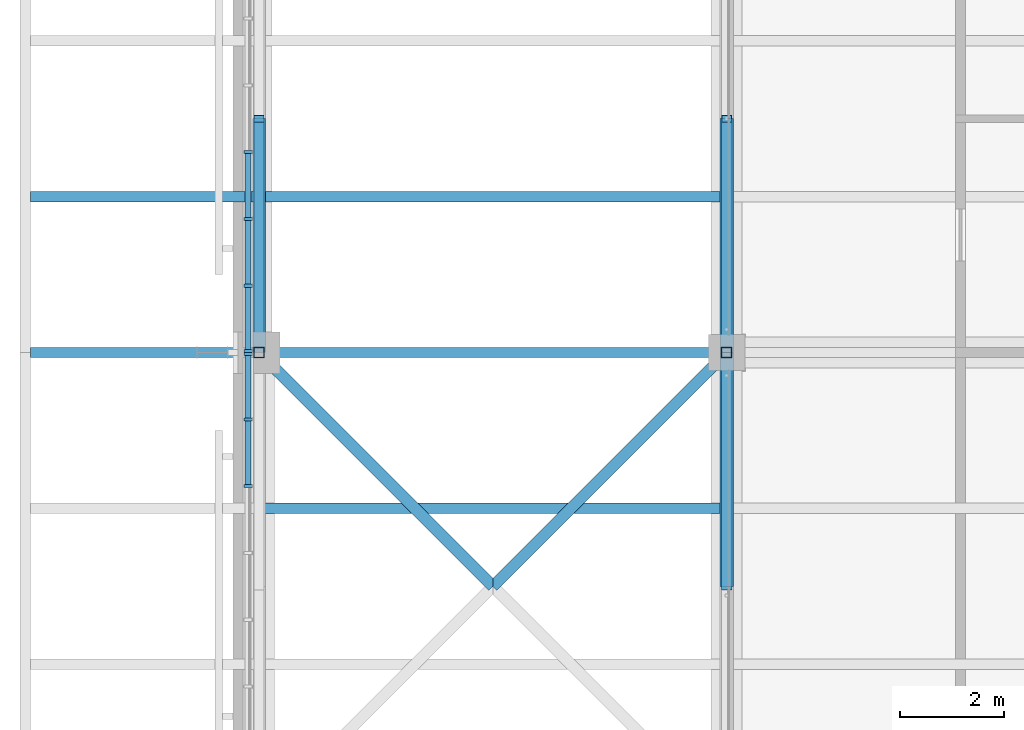
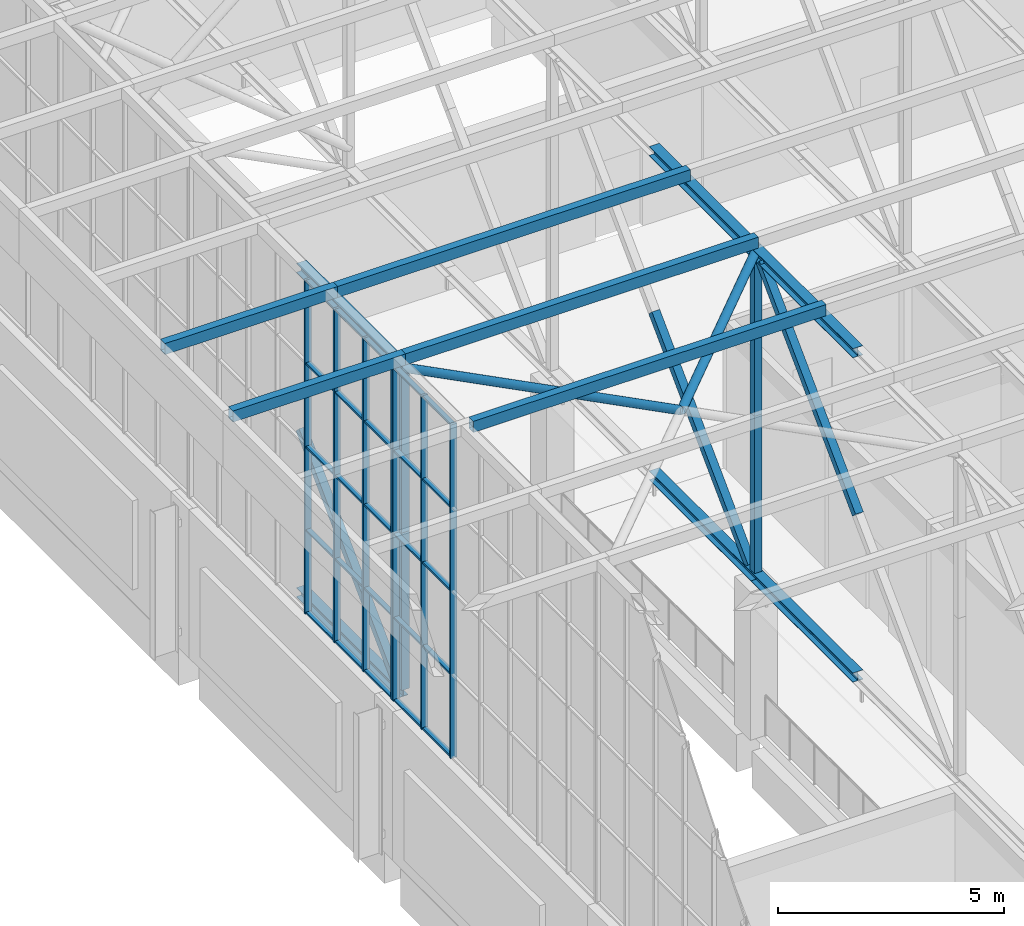
# One storey, part 60 of 646: 52 members, 2 elements without a shape of their own.
"""IFC4 building model written with IfcOpenShell, lengths in metres."""

from ifc_helpers import new_model, si_unit, direction, frame, origin, origin_2d, place, context, subcontext, project, spatial, rectangle, hollow_rectangle, hollow_circle, i_section, extrude, material, material_profile, profile_set, type_object, element, aggregate, save


model = new_model("IFC4")

# Units and contexts
model_context = context("Model", 3, precision=1e-05, world=origin(), true_north=direction((0.0, 1.0)))
body_context = subcontext(model_context, "Body", "Model", "MODEL_VIEW")
ifc_project = project(units=[si_unit("LENGTHUNIT", "METRE"), si_unit("AREAUNIT", "SQUARE_METRE"), si_unit("VOLUMEUNIT", "CUBIC_METRE"), si_unit("PLANEANGLEUNIT", "RADIAN"), si_unit("MASSUNIT", "GRAM", prefix="KILO")], contexts=[model_context])

# Site, building, storey
site_placement = place(None, origin())
site = spatial("IfcSite", under=ifc_project, at=site_placement, CompositionType="ELEMENT")
building_placement = place(site_placement, origin())
building = spatial("IfcBuilding", under=site, at=building_placement, Name="Silverbay Arena", CompositionType="ELEMENT")
storey_placement = place(building_placement, frame((0.0, 0.0, 33.5)))
storey = spatial("IfcBuildingStorey", under=building, at=storey_placement, Name="L05", CompositionType="ELEMENT", Elevation=33.5)

# Curtain wall, members
ifc_material_1 = material(Name="Aluminium framed glazing", Category="aluminium")
curtain_wall_type = type_object("IfcCurtainWallType", Name="Curtain wall clerestory 9000 x 9000", PredefinedType="NOTDEFINED", material=ifc_material_1)
curtain_wall_1_placement = place(storey_placement, origin())
curtain_wall_1 = element("IfcCurtainWall", 1, at=curtain_wall_1_placement, inside=storey, type_object=curtain_wall_type, Name="ROOF GABLE CLERESTORY CURTAIN WALL west bay 12", PredefinedType="NOTDEFINED")
ifc_material_2 = material(Name="Aluminium", Category="aluminium")
ifc_material_profile_1 = material_profile(ifc_material_2, rectangle(XDim=0.159912109375, YDim=0.06005859375, at=origin_2d()), Name="Mullion 60 x 160")
ifc_profile_set_1 = profile_set([ifc_material_profile_1], Name="Aluminium")
member_type_1 = type_object("IfcMemberType", Name="Mullion 60 x 160", PredefinedType="MULLION", material=ifc_profile_set_1)
member_1_placement = place(storey_placement, frame((53.7900390625, 114.428466796875, 4.0), z_axis=(0.0, 0.0, 1.0), x_axis=(-1.0, 0.0, 0.0)))
member_1 = element("IfcMember", 2, at=member_1_placement, type_object=member_type_1, Name="CW60 mullion 6", PredefinedType="MULLION", context=body_context, shape_type="SweptSolid", body=[
    extrude(rectangle(XDim=0.159912109375, YDim=0.06005859375, at=origin_2d()), origin(), (0.0, 0.0, 1.0), 9.0),
])
member_2_placement = place(storey_placement, frame((53.7900390625, 115.71435546875, 4.0), z_axis=(0.0, 0.0, 1.0), x_axis=(-1.0, 0.0, 0.0)))
member_2 = element("IfcMember", 3, at=member_2_placement, type_object=member_type_1, Name="CW60 mullion 7", PredefinedType="MULLION", context=body_context, shape_type="SweptSolid", body=[
    extrude(rectangle(XDim=0.159912109375, YDim=0.06005859375, at=origin_2d()), origin(), (0.0, 0.0, 1.0), 9.0),
])
member_3_placement = place(storey_placement, frame((53.7900390625, 116.969970703125, 4.0), z_axis=(0.0, 0.0, 1.0), x_axis=(-1.0, 0.0, 0.0)))
member_3 = element("IfcMember", 4, at=member_3_placement, type_object=member_type_1, Name="CW60 mullion 8", PredefinedType="MULLION", context=body_context, shape_type="SweptSolid", body=[
    extrude(rectangle(XDim=0.159912109375, YDim=0.06005859375, at=origin_2d()), origin(), (0.0, 0.0, 1.0), 9.0),
])

curtain_wall_2_placement = place(storey_placement, origin())
curtain_wall_2 = element("IfcCurtainWall", 5, at=curtain_wall_2_placement, inside=storey, type_object=curtain_wall_type, Name="ROOF GABLE CLERESTORY CURTAIN WALL west bay 13", PredefinedType="NOTDEFINED")
member_4_placement = place(storey_placement, frame((53.7900390625, 117.030029296875, 4.0), z_axis=(0.0, 0.0, 1.0), x_axis=(-1.0, 0.0, 0.0)))
member_4 = element("IfcMember", 6, at=member_4_placement, type_object=member_type_1, Name="CW60 mullion 1", PredefinedType="MULLION", context=body_context, shape_type="SweptSolid", body=[
    extrude(rectangle(XDim=0.159912109375, YDim=0.06005859375, at=origin_2d()), origin(), (0.0, 0.0, 1.0), 9.0),
])
member_5_placement = place(storey_placement, frame((53.7900390625, 118.28564453125, 4.0), z_axis=(0.0, 0.0, 1.0), x_axis=(-1.0, 0.0, 0.0)))
member_5 = element("IfcMember", 7, at=member_5_placement, type_object=member_type_1, Name="CW60 mullion 2", PredefinedType="MULLION", context=body_context, shape_type="SweptSolid", body=[
    extrude(rectangle(XDim=0.159912109375, YDim=0.06005859375, at=origin_2d()), origin(), (0.0, 0.0, 1.0), 9.0),
])
member_6_placement = place(storey_placement, frame((53.7900390625, 119.571533203125, 4.0), z_axis=(0.0, 0.0, 1.0), x_axis=(-1.0, 0.0, 0.0)))
member_6 = element("IfcMember", 8, at=member_6_placement, type_object=member_type_1, Name="CW60 mullion 3", PredefinedType="MULLION", context=body_context, shape_type="SweptSolid", body=[
    extrude(rectangle(XDim=0.159912109375, YDim=0.06005859375, at=origin_2d()), origin(), (0.0, 0.0, 1.0), 9.0),
])
member_7_placement = place(storey_placement, frame((53.7900390625, 120.857177734375, 4.0), z_axis=(0.0, 0.0, 1.0), x_axis=(-1.0, 0.0, 0.0)))
member_7 = element("IfcMember", 9, at=member_7_placement, type_object=member_type_1, Name="CW60 mullion 4", PredefinedType="MULLION", context=body_context, shape_type="SweptSolid", body=[
    extrude(rectangle(XDim=0.159912109375, YDim=0.06005859375, at=origin_2d()), origin(), (0.0, 0.0, 1.0), 9.0),
])

# Members
ifc_material_3 = material(Name="Steel S355", Category="steel")
ifc_material_profile_2 = material_profile(ifc_material_3, hollow_circle(Radius=0.109619140625, WallThickness=0.00634765625, at=origin_2d()), Name="CHS 219.1x6.3")
ifc_profile_set_2 = profile_set([ifc_material_profile_2], Name="Steel S355")
member_type_2 = type_object("IfcMemberType", Name="Plan bracing CHS 219.1x6.3", PredefinedType="BRACE", material=ifc_profile_set_2)
for number, where, z_axis, x_axis, name in (
    (10, (58.5, 112.5, 12.873046875), (0.707106781187, 0.707106781187, 0.0), (-0.707106781187, 0.707106781187, 0.0), "ROOF BRACING top 7-8 panel 12 Ab"),
    (11, (54.0, 117.0, 12.873046875), (0.707106781187, -0.707106781187, 0.0), (0.707106781187, 0.707106781187, 0.0), "ROOF BRACING top 7-8 panel 12 Ba"),
):
    element("IfcMember", number, at=place(storey_placement, frame(where, z_axis=z_axis, x_axis=x_axis)), inside=storey, type_object=member_type_2, Name=name, PredefinedType="BRACE", context=body_context, shape_type="SweptSolid", body=[
        extrude(hollow_circle(Radius=0.109619140625, WallThickness=0.00634765625, at=origin_2d()), origin(), (0.0, 0.0, 1.0), 6.364013671875),
    ])
ifc_material_4 = material(Name="Steel S355", Category="steel")
ifc_material_profile_3 = material_profile(ifc_material_4, hollow_rectangle(XDim=0.199951171875, YDim=0.300048828125, WallThickness=0.008056640625, at=origin_2d()), Name="RHS 300x200x8")
ifc_profile_set_3 = profile_set([ifc_material_profile_3], Name="Steel S355")
member_type_3 = type_object("IfcMemberType", Name="Purlin RHS 300x200x8", PredefinedType="PURLIN", material=ifc_profile_set_3)
for number, where, z_axis, x_axis, name in (
    (12, (54.0, 114.0, 13.14990234375), (1.0, 0.0, 0.0), (0.0, 1.0, 0.0), "ROOF PURLIN 7-8 line 36"),
    (13, (54.0, 117.0, 13.14990234375), (1.0, 0.0, 0.0), (0.0, 1.0, 0.0), "ROOF PURLIN 7-8 line 37"),
    (14, (54.0, 120.0, 13.14990234375), (1.0, 0.0, 0.0), (0.0, 1.0, 0.0), "ROOF PURLIN 7-8 line 38"),
):
    element("IfcMember", number, at=place(storey_placement, frame(where, z_axis=z_axis, x_axis=x_axis)), inside=storey, type_object=member_type_3, Name=name, PredefinedType="PURLIN", context=body_context, shape_type="SweptSolid", body=[
        extrude(hollow_rectangle(XDim=0.199951171875, YDim=0.300048828125, WallThickness=0.008056640625, at=origin_2d()), origin(), (0.0, 0.0, 1.0), 9.0),
    ])
for number, where, z_axis, x_axis, name in (
    (15, (49.60009765625, 117.0, 13.14990234375), (1.0, 0.0, 0.0), (0.0, 1.0, 0.0), "ROOF PURLIN west eave line 37"),
    (16, (49.60009765625, 120.0, 13.14990234375), (1.0, 0.0, 0.0), (0.0, 1.0, 0.0), "ROOF PURLIN west eave line 38"),
):
    element("IfcMember", number, at=place(storey_placement, frame(where, z_axis=z_axis, x_axis=x_axis)), inside=storey, type_object=member_type_3, Name=name, PredefinedType="PURLIN", context=body_context, shape_type="SweptSolid", body=[
        extrude(hollow_rectangle(XDim=0.199951171875, YDim=0.300048828125, WallThickness=0.008056640625, at=origin_2d()), origin(), (0.0, 0.0, 1.0), 4.39990234375),
    ])
ifc_material_5 = material(Name="Steel S355", Category="steel")
ifc_material_profile_4 = material_profile(ifc_material_5, i_section(OverallWidth=0.254638671875, OverallDepth=0.254150390625, WebThickness=0.008544921875, FlangeThickness=0.01416015625, at=origin_2d()), Name="UC 254x254x73")
ifc_profile_set_4 = profile_set([ifc_material_profile_4], Name="Steel S355")
member_type_4 = type_object("IfcMemberType", Name="Short-span bottom chord UC 254x254x73", PredefinedType="CHORD", material=ifc_profile_set_4)
for number, where, z_axis, x_axis, name in (
    (17, (54.0, 117.0, 4.126953125), (0.0, 1.0, 0.0), (-1.0, 0.0, 0.0), "ROOF TRUSS 7 bottom chord 13a"),
    (18, (63.0, 112.5, 4.126953125), (0.0, 1.0, 0.0), (-1.0, 0.0, 0.0), "ROOF TRUSS 8 bottom chord 12b"),
    (19, (63.0, 117.0, 4.126953125), (0.0, 1.0, 0.0), (-1.0, 0.0, 0.0), "ROOF TRUSS 8 bottom chord 13a"),
):
    element("IfcMember", number, at=place(storey_placement, frame(where, z_axis=z_axis, x_axis=x_axis)), inside=storey, type_object=member_type_4, Name=name, PredefinedType="CHORD", context=body_context, shape_type="SweptSolid", body=[
        extrude(i_section(OverallWidth=0.254638671875, OverallDepth=0.254150390625, WebThickness=0.008544921875, FlangeThickness=0.01416015625, at=origin_2d()), origin(), (0.0, 0.0, 1.0), 4.5),
    ])
ifc_material_6 = material(Name="Steel S355", Category="steel")
ifc_material_profile_5 = material_profile(ifc_material_6, i_section(OverallWidth=0.254638671875, OverallDepth=0.254150390625, WebThickness=0.008544921875, FlangeThickness=0.01416015625, at=origin_2d()), Name="UC 254x254x73")
ifc_profile_set_5 = profile_set([ifc_material_profile_5], Name="Steel S355")
member_type_5 = type_object("IfcMemberType", Name="Short-span top chord UC 254x254x73", PredefinedType="CHORD", material=ifc_profile_set_5)
for number, where, z_axis, x_axis, name in (
    (20, (54.0, 117.0, 12.873046875), (0.0, 1.0, 0.0), (-1.0, 0.0, 0.0), "ROOF TRUSS 7 top chord 13a"),
    (21, (63.0, 112.5, 12.873046875), (0.0, 1.0, 0.0), (-1.0, 0.0, 0.0), "ROOF TRUSS 8 top chord 12b"),
    (22, (63.0, 117.0, 12.873046875), (0.0, 1.0, 0.0), (-1.0, 0.0, 0.0), "ROOF TRUSS 8 top chord 13a"),
):
    element("IfcMember", number, at=place(storey_placement, frame(where, z_axis=z_axis, x_axis=x_axis)), inside=storey, type_object=member_type_5, Name=name, PredefinedType="CHORD", context=body_context, shape_type="SweptSolid", body=[
        extrude(i_section(OverallWidth=0.254638671875, OverallDepth=0.254150390625, WebThickness=0.008544921875, FlangeThickness=0.01416015625, at=origin_2d()), origin(), (0.0, 0.0, 1.0), 4.5),
    ])
ifc_material_7 = material(Name="Steel S355", Category="steel")
ifc_material_profile_6 = material_profile(ifc_material_7, hollow_rectangle(XDim=0.199951171875, YDim=0.199951171875, WallThickness=0.008056640625, at=origin_2d()), Name="SHS 200x200x8")
ifc_profile_set_6 = profile_set([ifc_material_profile_6], Name="Steel S355")
member_type_6 = type_object("IfcMemberType", Name="Short-span truss diagonal SHS 200x200x8", PredefinedType="BRACE", material=ifc_profile_set_6)
for number, where, z_axis, x_axis, name in (
    (23, (54.0, 121.5, 8.5), (0.0, -0.70781724692, -0.706395600894), (1.0, 0.0, 0.0), "ROOF TRUSS 7 diagonal 13b"),
    (24, (63.0, 116.75439453125, 12.745849609375), (0.0, -0.70781724692, -0.706395600894), (1.0, 0.0, 0.0), "ROOF TRUSS 8 diagonal 12a"),
    (25, (63.0, 121.5, 8.5), (0.0, -0.70781724692, -0.706395600894), (1.0, 0.0, 0.0), "ROOF TRUSS 8 diagonal 13b"),
):
    element("IfcMember", number, at=place(storey_placement, frame(where, z_axis=z_axis, x_axis=x_axis)), inside=storey, type_object=member_type_6, Name=name, PredefinedType="BRACE", context=body_context, shape_type="SweptSolid", body=[
        extrude(hollow_rectangle(XDim=0.199951171875, YDim=0.199951171875, WallThickness=0.008056640625, at=origin_2d()), origin(), (0.0, 0.0, 1.0), 6.010498046875),
    ])
ifc_material_8 = material(Name="Steel S355", Category="steel")
ifc_material_profile_7 = material_profile(ifc_material_8, hollow_rectangle(XDim=0.199951171875, YDim=0.199951171875, WallThickness=0.008056640625, at=origin_2d()), Name="SHS 200x200x8")
ifc_profile_set_7 = profile_set([ifc_material_profile_7], Name="Steel S355")
member_type_7 = type_object("IfcMemberType", Name="Short-span truss vertical SHS 200x200x8", PredefinedType="STRUT", material=ifc_profile_set_7)
for number, where, z_axis, x_axis, name in (
    (26, (54.0, 117.0, 4.254150390625), (0.0, 0.0, 1.0), (1.0, 0.0, 0.0), "ROOF TRUSS 7 vertical 13a"),
    (27, (54.0, 117.0, 8.5), (0.0, 0.0, 1.0), (1.0, 0.0, 0.0), "ROOF TRUSS 7 vertical 13b"),
    (28, (63.0, 117.0, 4.254150390625), (0.0, 0.0, 1.0), (1.0, 0.0, 0.0), "ROOF TRUSS 8 vertical 13a"),
    (29, (63.0, 117.0, 8.5), (0.0, 0.0, 1.0), (1.0, 0.0, 0.0), "ROOF TRUSS 8 vertical 13b"),
):
    element("IfcMember", number, at=place(storey_placement, frame(where, z_axis=z_axis, x_axis=x_axis)), inside=storey, type_object=member_type_7, Name=name, PredefinedType="STRUT", context=body_context, shape_type="SweptSolid", body=[
        extrude(hollow_rectangle(XDim=0.199951171875, YDim=0.199951171875, WallThickness=0.008056640625, at=origin_2d()), origin(), (0.0, 0.0, 1.0), 4.245849609375),
    ])

# Member
ifc_material_9 = material(Name="Aluminium", Category="aluminium")
ifc_material_profile_8 = material_profile(ifc_material_9, rectangle(XDim=0.1201171875, YDim=0.050048828125, at=origin_2d()), Name="Transom 50 x 120")
ifc_profile_set_8 = profile_set([ifc_material_profile_8], Name="Aluminium")
member_type_8 = type_object("IfcMemberType", Name="Transom 50 x 120", PredefinedType="USERDEFINED", material=ifc_profile_set_8)
member_8_placement = place(storey_placement, frame((53.7900390625, 114.45849609375, 4.02490234375), z_axis=(0.0, 1.0, 0.0), x_axis=(-1.0, 0.0, 0.0)))
member_8 = element("IfcMember", 30, at=member_8_placement, type_object=member_type_8, Name="CW60 transom 6.1", ObjectType="TRANSOM", PredefinedType="USERDEFINED", context=body_context, shape_type="SweptSolid", body=[
    extrude(rectangle(XDim=0.1201171875, YDim=0.050048828125, at=origin_2d()), origin(), (0.0, 0.0, 1.0), 1.225830078125),
])

member_9_placement = place(storey_placement, frame((53.7900390625, 114.45849609375, 6.25), z_axis=(0.0, 1.0, 0.0), x_axis=(-1.0, 0.0, 0.0)))
member_9 = element("IfcMember", 31, at=member_9_placement, type_object=member_type_8, Name="CW60 transom 6.2", ObjectType="TRANSOM", PredefinedType="USERDEFINED", context=body_context, shape_type="SweptSolid", body=[
    extrude(rectangle(XDim=0.1201171875, YDim=0.050048828125, at=origin_2d()), origin(), (0.0, 0.0, 1.0), 1.225830078125),
])

member_10_placement = place(storey_placement, frame((53.7900390625, 114.45849609375, 8.5), z_axis=(0.0, 1.0, 0.0), x_axis=(-1.0, 0.0, 0.0)))
member_10 = element("IfcMember", 32, at=member_10_placement, type_object=member_type_8, Name="CW60 transom 6.3", ObjectType="TRANSOM", PredefinedType="USERDEFINED", context=body_context, shape_type="SweptSolid", body=[
    extrude(rectangle(XDim=0.1201171875, YDim=0.050048828125, at=origin_2d()), origin(), (0.0, 0.0, 1.0), 1.225830078125),
])

member_11_placement = place(storey_placement, frame((53.7900390625, 114.45849609375, 10.75), z_axis=(0.0, 1.0, 0.0), x_axis=(-1.0, 0.0, 0.0)))
member_11 = element("IfcMember", 33, at=member_11_placement, type_object=member_type_8, Name="CW60 transom 6.4", ObjectType="TRANSOM", PredefinedType="USERDEFINED", context=body_context, shape_type="SweptSolid", body=[
    extrude(rectangle(XDim=0.1201171875, YDim=0.050048828125, at=origin_2d()), origin(), (0.0, 0.0, 1.0), 1.225830078125),
])

member_12_placement = place(storey_placement, frame((53.7900390625, 114.45849609375, 12.97509765625), z_axis=(0.0, 1.0, 0.0), x_axis=(-1.0, 0.0, 0.0)))
member_12 = element("IfcMember", 34, at=member_12_placement, type_object=member_type_8, Name="CW60 transom 6.5", ObjectType="TRANSOM", PredefinedType="USERDEFINED", context=body_context, shape_type="SweptSolid", body=[
    extrude(rectangle(XDim=0.1201171875, YDim=0.050048828125, at=origin_2d()), origin(), (0.0, 0.0, 1.0), 1.225830078125),
])

member_13_placement = place(storey_placement, frame((53.7900390625, 115.744384765625, 4.02490234375), z_axis=(0.0, 1.0, 0.0), x_axis=(-1.0, 0.0, 0.0)))
member_13 = element("IfcMember", 35, at=member_13_placement, type_object=member_type_8, Name="CW60 transom 7.1", ObjectType="TRANSOM", PredefinedType="USERDEFINED", context=body_context, shape_type="SweptSolid", body=[
    extrude(rectangle(XDim=0.1201171875, YDim=0.050048828125, at=origin_2d()), origin(), (0.0, 0.0, 1.0), 1.195556640625),
])

member_14_placement = place(storey_placement, frame((53.7900390625, 115.744384765625, 6.25), z_axis=(0.0, 1.0, 0.0), x_axis=(-1.0, 0.0, 0.0)))
member_14 = element("IfcMember", 36, at=member_14_placement, type_object=member_type_8, Name="CW60 transom 7.2", ObjectType="TRANSOM", PredefinedType="USERDEFINED", context=body_context, shape_type="SweptSolid", body=[
    extrude(rectangle(XDim=0.1201171875, YDim=0.050048828125, at=origin_2d()), origin(), (0.0, 0.0, 1.0), 1.195556640625),
])

member_15_placement = place(storey_placement, frame((53.7900390625, 115.744384765625, 8.5), z_axis=(0.0, 1.0, 0.0), x_axis=(-1.0, 0.0, 0.0)))
member_15 = element("IfcMember", 37, at=member_15_placement, type_object=member_type_8, Name="CW60 transom 7.3", ObjectType="TRANSOM", PredefinedType="USERDEFINED", context=body_context, shape_type="SweptSolid", body=[
    extrude(rectangle(XDim=0.1201171875, YDim=0.050048828125, at=origin_2d()), origin(), (0.0, 0.0, 1.0), 1.195556640625),
])

member_16_placement = place(storey_placement, frame((53.7900390625, 115.744384765625, 10.75), z_axis=(0.0, 1.0, 0.0), x_axis=(-1.0, 0.0, 0.0)))
member_16 = element("IfcMember", 38, at=member_16_placement, type_object=member_type_8, Name="CW60 transom 7.4", ObjectType="TRANSOM", PredefinedType="USERDEFINED", context=body_context, shape_type="SweptSolid", body=[
    extrude(rectangle(XDim=0.1201171875, YDim=0.050048828125, at=origin_2d()), origin(), (0.0, 0.0, 1.0), 1.195556640625),
])

member_17_placement = place(storey_placement, frame((53.7900390625, 115.744384765625, 12.97509765625), z_axis=(0.0, 1.0, 0.0), x_axis=(-1.0, 0.0, 0.0)))
member_17 = element("IfcMember", 39, at=member_17_placement, type_object=member_type_8, Name="CW60 transom 7.5", ObjectType="TRANSOM", PredefinedType="USERDEFINED", context=body_context, shape_type="SweptSolid", body=[
    extrude(rectangle(XDim=0.1201171875, YDim=0.050048828125, at=origin_2d()), origin(), (0.0, 0.0, 1.0), 1.195556640625),
])

aggregate(curtain_wall_1, [member_1, member_2, member_3, member_8, member_9, member_10, member_11, member_12, member_13, member_14, member_15, member_16, member_17])

member_18_placement = place(storey_placement, frame((53.7900390625, 117.06005859375, 4.02490234375), z_axis=(0.0, 1.0, 0.0), x_axis=(-1.0, 0.0, 0.0)))
member_18 = element("IfcMember", 40, at=member_18_placement, type_object=member_type_8, Name="CW60 transom 1.1", ObjectType="TRANSOM", PredefinedType="USERDEFINED", context=body_context, shape_type="SweptSolid", body=[
    extrude(rectangle(XDim=0.1201171875, YDim=0.050048828125, at=origin_2d()), origin(), (0.0, 0.0, 1.0), 1.195556640625),
])

member_19_placement = place(storey_placement, frame((53.7900390625, 117.06005859375, 6.25), z_axis=(0.0, 1.0, 0.0), x_axis=(-1.0, 0.0, 0.0)))
member_19 = element("IfcMember", 41, at=member_19_placement, type_object=member_type_8, Name="CW60 transom 1.2", ObjectType="TRANSOM", PredefinedType="USERDEFINED", context=body_context, shape_type="SweptSolid", body=[
    extrude(rectangle(XDim=0.1201171875, YDim=0.050048828125, at=origin_2d()), origin(), (0.0, 0.0, 1.0), 1.195556640625),
])

member_20_placement = place(storey_placement, frame((53.7900390625, 117.06005859375, 8.5), z_axis=(0.0, 1.0, 0.0), x_axis=(-1.0, 0.0, 0.0)))
member_20 = element("IfcMember", 42, at=member_20_placement, type_object=member_type_8, Name="CW60 transom 1.3", ObjectType="TRANSOM", PredefinedType="USERDEFINED", context=body_context, shape_type="SweptSolid", body=[
    extrude(rectangle(XDim=0.1201171875, YDim=0.050048828125, at=origin_2d()), origin(), (0.0, 0.0, 1.0), 1.195556640625),
])

member_21_placement = place(storey_placement, frame((53.7900390625, 117.06005859375, 10.75), z_axis=(0.0, 1.0, 0.0), x_axis=(-1.0, 0.0, 0.0)))
member_21 = element("IfcMember", 43, at=member_21_placement, type_object=member_type_8, Name="CW60 transom 1.4", ObjectType="TRANSOM", PredefinedType="USERDEFINED", context=body_context, shape_type="SweptSolid", body=[
    extrude(rectangle(XDim=0.1201171875, YDim=0.050048828125, at=origin_2d()), origin(), (0.0, 0.0, 1.0), 1.195556640625),
])

member_22_placement = place(storey_placement, frame((53.7900390625, 117.06005859375, 12.97509765625), z_axis=(0.0, 1.0, 0.0), x_axis=(-1.0, 0.0, 0.0)))
member_22 = element("IfcMember", 44, at=member_22_placement, type_object=member_type_8, Name="CW60 transom 1.5", ObjectType="TRANSOM", PredefinedType="USERDEFINED", context=body_context, shape_type="SweptSolid", body=[
    extrude(rectangle(XDim=0.1201171875, YDim=0.050048828125, at=origin_2d()), origin(), (0.0, 0.0, 1.0), 1.195556640625),
])

member_23_placement = place(storey_placement, frame((53.7900390625, 118.315673828125, 4.02490234375), z_axis=(0.0, 1.0, 0.0), x_axis=(-1.0, 0.0, 0.0)))
member_23 = element("IfcMember", 45, at=member_23_placement, type_object=member_type_8, Name="CW60 transom 2.1", ObjectType="TRANSOM", PredefinedType="USERDEFINED", context=body_context, shape_type="SweptSolid", body=[
    extrude(rectangle(XDim=0.1201171875, YDim=0.050048828125, at=origin_2d()), origin(), (0.0, 0.0, 1.0), 1.225830078125),
])

member_24_placement = place(storey_placement, frame((53.7900390625, 118.315673828125, 6.25), z_axis=(0.0, 1.0, 0.0), x_axis=(-1.0, 0.0, 0.0)))
member_24 = element("IfcMember", 46, at=member_24_placement, type_object=member_type_8, Name="CW60 transom 2.2", ObjectType="TRANSOM", PredefinedType="USERDEFINED", context=body_context, shape_type="SweptSolid", body=[
    extrude(rectangle(XDim=0.1201171875, YDim=0.050048828125, at=origin_2d()), origin(), (0.0, 0.0, 1.0), 1.225830078125),
])

member_25_placement = place(storey_placement, frame((53.7900390625, 118.315673828125, 8.5), z_axis=(0.0, 1.0, 0.0), x_axis=(-1.0, 0.0, 0.0)))
member_25 = element("IfcMember", 47, at=member_25_placement, type_object=member_type_8, Name="CW60 transom 2.3", ObjectType="TRANSOM", PredefinedType="USERDEFINED", context=body_context, shape_type="SweptSolid", body=[
    extrude(rectangle(XDim=0.1201171875, YDim=0.050048828125, at=origin_2d()), origin(), (0.0, 0.0, 1.0), 1.225830078125),
])

member_26_placement = place(storey_placement, frame((53.7900390625, 118.315673828125, 10.75), z_axis=(0.0, 1.0, 0.0), x_axis=(-1.0, 0.0, 0.0)))
member_26 = element("IfcMember", 48, at=member_26_placement, type_object=member_type_8, Name="CW60 transom 2.4", ObjectType="TRANSOM", PredefinedType="USERDEFINED", context=body_context, shape_type="SweptSolid", body=[
    extrude(rectangle(XDim=0.1201171875, YDim=0.050048828125, at=origin_2d()), origin(), (0.0, 0.0, 1.0), 1.225830078125),
])

member_27_placement = place(storey_placement, frame((53.7900390625, 118.315673828125, 12.97509765625), z_axis=(0.0, 1.0, 0.0), x_axis=(-1.0, 0.0, 0.0)))
member_27 = element("IfcMember", 49, at=member_27_placement, type_object=member_type_8, Name="CW60 transom 2.5", ObjectType="TRANSOM", PredefinedType="USERDEFINED", context=body_context, shape_type="SweptSolid", body=[
    extrude(rectangle(XDim=0.1201171875, YDim=0.050048828125, at=origin_2d()), origin(), (0.0, 0.0, 1.0), 1.225830078125),
])

member_28_placement = place(storey_placement, frame((53.7900390625, 119.601318359375, 4.02490234375), z_axis=(0.0, 1.0, 0.0), x_axis=(-1.0, 0.0, 0.0)))
member_28 = element("IfcMember", 50, at=member_28_placement, type_object=member_type_8, Name="CW60 transom 3.1", ObjectType="TRANSOM", PredefinedType="USERDEFINED", context=body_context, shape_type="SweptSolid", body=[
    extrude(rectangle(XDim=0.1201171875, YDim=0.050048828125, at=origin_2d()), origin(), (0.0, 0.0, 1.0), 1.225830078125),
])

member_29_placement = place(storey_placement, frame((53.7900390625, 119.601318359375, 6.25), z_axis=(0.0, 1.0, 0.0), x_axis=(-1.0, 0.0, 0.0)))
member_29 = element("IfcMember", 51, at=member_29_placement, type_object=member_type_8, Name="CW60 transom 3.2", ObjectType="TRANSOM", PredefinedType="USERDEFINED", context=body_context, shape_type="SweptSolid", body=[
    extrude(rectangle(XDim=0.1201171875, YDim=0.050048828125, at=origin_2d()), origin(), (0.0, 0.0, 1.0), 1.225830078125),
])

member_30_placement = place(storey_placement, frame((53.7900390625, 119.601318359375, 8.5), z_axis=(0.0, 1.0, 0.0), x_axis=(-1.0, 0.0, 0.0)))
member_30 = element("IfcMember", 52, at=member_30_placement, type_object=member_type_8, Name="CW60 transom 3.3", ObjectType="TRANSOM", PredefinedType="USERDEFINED", context=body_context, shape_type="SweptSolid", body=[
    extrude(rectangle(XDim=0.1201171875, YDim=0.050048828125, at=origin_2d()), origin(), (0.0, 0.0, 1.0), 1.225830078125),
])

member_31_placement = place(storey_placement, frame((53.7900390625, 119.601318359375, 10.75), z_axis=(0.0, 1.0, 0.0), x_axis=(-1.0, 0.0, 0.0)))
member_31 = element("IfcMember", 53, at=member_31_placement, type_object=member_type_8, Name="CW60 transom 3.4", ObjectType="TRANSOM", PredefinedType="USERDEFINED", context=body_context, shape_type="SweptSolid", body=[
    extrude(rectangle(XDim=0.1201171875, YDim=0.050048828125, at=origin_2d()), origin(), (0.0, 0.0, 1.0), 1.225830078125),
])

member_32_placement = place(storey_placement, frame((53.7900390625, 119.601318359375, 12.97509765625), z_axis=(0.0, 1.0, 0.0), x_axis=(-1.0, 0.0, 0.0)))
member_32 = element("IfcMember", 54, at=member_32_placement, type_object=member_type_8, Name="CW60 transom 3.5", ObjectType="TRANSOM", PredefinedType="USERDEFINED", context=body_context, shape_type="SweptSolid", body=[
    extrude(rectangle(XDim=0.1201171875, YDim=0.050048828125, at=origin_2d()), origin(), (0.0, 0.0, 1.0), 1.225830078125),
])

aggregate(curtain_wall_2, [member_4, member_5, member_6, member_7, member_18, member_19, member_20, member_21, member_22, member_23, member_24, member_25, member_26, member_27, member_28, member_29, member_30, member_31, member_32])

save(model, "model.ifc")
